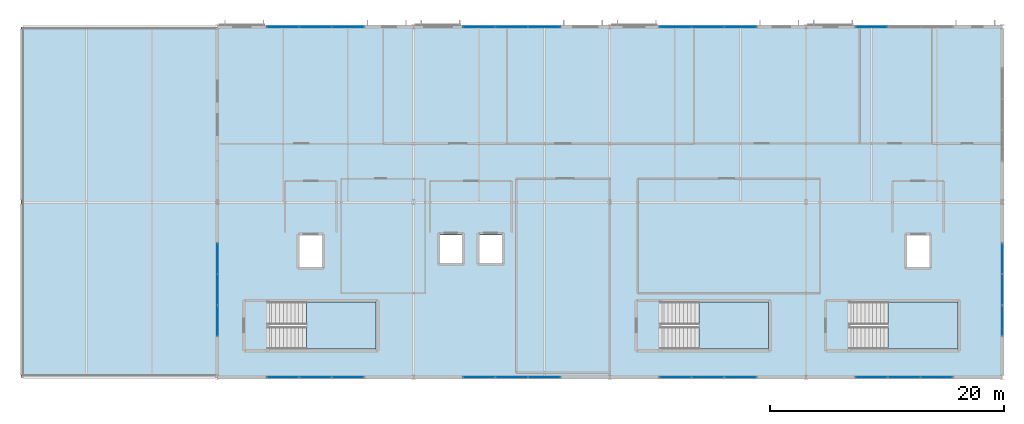
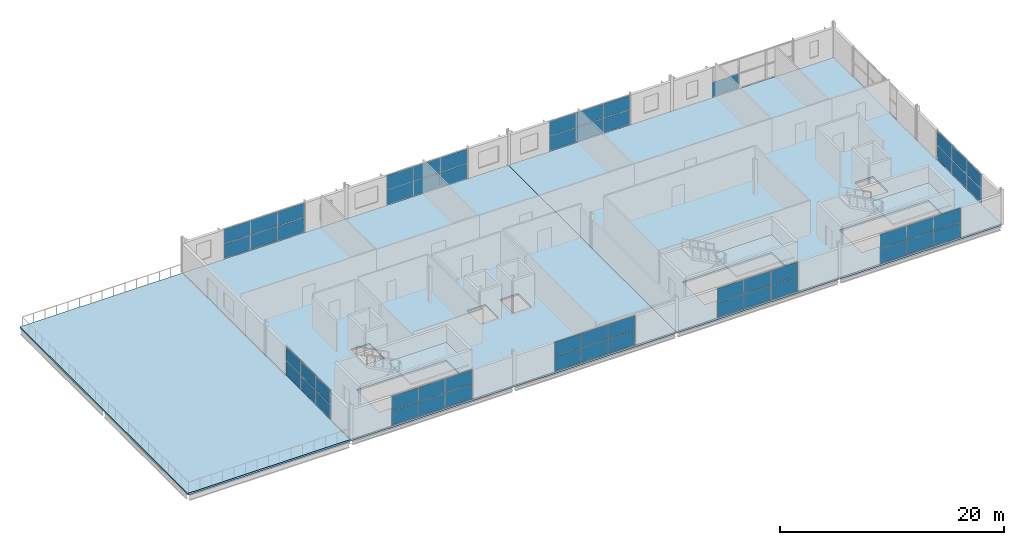
# One storey, part 12 of 18: 55 plates, 6 slabs, 13 elements without a shape of their own.
"""IFC4 building model written with IfcOpenShell, lengths in metres."""

from ifc_helpers import new_model, si_unit, direction, frame, origin, origin_2d, place, context, subcontext, project, spatial, polyline, rectangle, outline, extrude, material, layer, layer_set, type_object, element, aggregate, save


model = new_model("IFC4")

# Units and contexts
model_context = context("Model", 3, precision=1e-05, world=origin(), true_north=direction((0.0, 1.0)))
body_context = subcontext(model_context, "Body", "Model", "MODEL_VIEW")
ifc_project = project(units=[si_unit("LENGTHUNIT", "METRE"), si_unit("AREAUNIT", "SQUARE_METRE"), si_unit("VOLUMEUNIT", "CUBIC_METRE"), si_unit("PLANEANGLEUNIT", "RADIAN"), si_unit("MASSUNIT", "GRAM", prefix="KILO")], contexts=[model_context])

# Site, building, storey
site_placement = place(None, origin())
site = spatial("IfcSite", under=ifc_project, at=site_placement, CompositionType="ELEMENT")
building_placement = place(site_placement, origin())
building = spatial("IfcBuilding", under=site, at=building_placement, Name="Kimbaza Rail Terminus", CompositionType="ELEMENT")
storey_placement = place(building_placement, frame((0.0, 0.0, 24.89990234375)))
storey = spatial("IfcBuildingStorey", under=building, at=storey_placement, Name="L05", CompositionType="ELEMENT", Elevation=24.89990234375)

# Curtain wall, plates
ifc_material_1 = material(Name="Anodised aluminium framing and solar low-E glazing", Category="aluminium")
curtain_wall_type = type_object("IfcCurtainWallType", Name="ARC-CW-OP2", PredefinedType="USERDEFINED", material=ifc_material_1)
curtain_wall_1_placement = place(storey_placement, origin())
curtain_wall_1 = element("IfcCurtainWall", 1, at=curtain_wall_1_placement, inside=storey, type_object=curtain_wall_type, Name="Operations North Curtain Wall L05 Bay 1", ObjectType="STICK CURTAIN WALL", PredefinedType="USERDEFINED")
ifc_material_2 = material(Name="Solar-control double low-E glazing", Category="glass")
ifc_layer_1 = layer(ifc_material_2, 0.02294921875)
ifc_layer_set_1 = layer_set([ifc_layer_1], Name="Solar-control double low-E glazing")
plate_type = type_object("IfcPlateType", Name="ARC-CWP-06", PredefinedType="CURTAIN_PANEL", material=ifc_layer_set_1)
plate_1_placement = place(storey_placement, frame((77.614501953125, 133.0, 0.05810546875), z_axis=(0.0, 0.0, 1.0), x_axis=(1.0, 0.0, 0.0)))
plate_1 = element("IfcPlate", 2, at=plate_1_placement, type_object=plate_type, Name="CW-06 panel 1.1", PredefinedType="CURTAIN_PANEL", context=body_context, shape_type="SweptSolid", body=[
    extrude(rectangle(XDim=2.712890625, YDim=0.02294921875, at=origin_2d()), origin(), (0.0, 0.0, 1.0), 1.56298828125),
])
plate_2_placement = place(storey_placement, frame((77.614501953125, 133.0, 1.67919921875), z_axis=(0.0, 0.0, 1.0), x_axis=(1.0, 0.0, 0.0)))
plate_2 = element("IfcPlate", 3, at=plate_2_placement, type_object=plate_type, Name="CW-06 panel 1.2", PredefinedType="CURTAIN_PANEL", context=body_context, shape_type="SweptSolid", body=[
    extrude(rectangle(XDim=2.712890625, YDim=0.02294921875, at=origin_2d()), origin(), (0.0, 0.0, 1.0), 1.56298828125),
])
plate_3_placement = place(storey_placement, frame((80.39990234375, 133.0, 0.05810546875), z_axis=(0.0, 0.0, 1.0), x_axis=(1.0, 0.0, 0.0)))
plate_3 = element("IfcPlate", 4, at=plate_3_placement, type_object=plate_type, Name="CW-06 panel 2.1", PredefinedType="CURTAIN_PANEL", context=body_context, shape_type="SweptSolid", body=[
    extrude(rectangle(XDim=2.741943359375, YDim=0.02294921875, at=origin_2d()), origin(), (0.0, 0.0, 1.0), 1.56298828125),
])
plate_4_placement = place(storey_placement, frame((80.39990234375, 133.0, 1.67919921875), z_axis=(0.0, 0.0, 1.0), x_axis=(1.0, 0.0, 0.0)))
plate_4 = element("IfcPlate", 5, at=plate_4_placement, type_object=plate_type, Name="CW-06 panel 2.2", PredefinedType="CURTAIN_PANEL", context=body_context, shape_type="SweptSolid", body=[
    extrude(rectangle(XDim=2.741943359375, YDim=0.02294921875, at=origin_2d()), origin(), (0.0, 0.0, 1.0), 1.56298828125),
])
plate_5_placement = place(storey_placement, frame((83.185546875, 133.0, 0.05810546875), z_axis=(0.0, 0.0, 1.0), x_axis=(1.0, 0.0, 0.0)))
plate_5 = element("IfcPlate", 6, at=plate_5_placement, type_object=plate_type, Name="CW-06 panel 3.1", PredefinedType="CURTAIN_PANEL", context=body_context, shape_type="SweptSolid", body=[
    extrude(rectangle(XDim=2.712890625, YDim=0.02294921875, at=origin_2d()), origin(), (0.0, 0.0, 1.0), 1.56298828125),
])
plate_6_placement = place(storey_placement, frame((83.185546875, 133.0, 1.67919921875), z_axis=(0.0, 0.0, 1.0), x_axis=(1.0, 0.0, 0.0)))
plate_6 = element("IfcPlate", 7, at=plate_6_placement, type_object=plate_type, Name="CW-06 panel 3.2", PredefinedType="CURTAIN_PANEL", context=body_context, shape_type="SweptSolid", body=[
    extrude(rectangle(XDim=2.712890625, YDim=0.02294921875, at=origin_2d()), origin(), (0.0, 0.0, 1.0), 1.56298828125),
])
aggregate(curtain_wall_1, [plate_1, plate_2, plate_3, plate_4, plate_5, plate_6])

curtain_wall_2_placement = place(storey_placement, origin())
curtain_wall_2 = element("IfcCurtainWall", 8, at=curtain_wall_2_placement, inside=storey, type_object=curtain_wall_type, Name="Operations North Curtain Wall L05 Bay 2", ObjectType="STICK CURTAIN WALL", PredefinedType="USERDEFINED")
plate_7_placement = place(storey_placement, frame((94.41455078125, 133.0, 0.05810546875), z_axis=(0.0, 0.0, 1.0), x_axis=(1.0, 0.0, 0.0)))
plate_7 = element("IfcPlate", 9, at=plate_7_placement, type_object=plate_type, Name="CW-06 panel 1.1", PredefinedType="CURTAIN_PANEL", context=body_context, shape_type="SweptSolid", body=[
    extrude(rectangle(XDim=2.712890625, YDim=0.02294921875, at=origin_2d()), origin(), (0.0, 0.0, 1.0), 1.56298828125),
])
plate_8_placement = place(storey_placement, frame((94.41455078125, 133.0, 1.67919921875), z_axis=(0.0, 0.0, 1.0), x_axis=(1.0, 0.0, 0.0)))
plate_8 = element("IfcPlate", 10, at=plate_8_placement, type_object=plate_type, Name="CW-06 panel 1.2", PredefinedType="CURTAIN_PANEL", context=body_context, shape_type="SweptSolid", body=[
    extrude(rectangle(XDim=2.712890625, YDim=0.02294921875, at=origin_2d()), origin(), (0.0, 0.0, 1.0), 1.56298828125),
])
plate_9_placement = place(storey_placement, frame((97.199951171875, 133.0, 0.05810546875), z_axis=(0.0, 0.0, 1.0), x_axis=(1.0, 0.0, 0.0)))
plate_9 = element("IfcPlate", 11, at=plate_9_placement, type_object=plate_type, Name="CW-06 panel 2.1", PredefinedType="CURTAIN_PANEL", context=body_context, shape_type="SweptSolid", body=[
    extrude(rectangle(XDim=2.741943359375, YDim=0.02294921875, at=origin_2d()), origin(), (0.0, 0.0, 1.0), 1.56298828125),
])
plate_10_placement = place(storey_placement, frame((97.199951171875, 133.0, 1.67919921875), z_axis=(0.0, 0.0, 1.0), x_axis=(1.0, 0.0, 0.0)))
plate_10 = element("IfcPlate", 12, at=plate_10_placement, type_object=plate_type, Name="CW-06 panel 2.2", PredefinedType="CURTAIN_PANEL", context=body_context, shape_type="SweptSolid", body=[
    extrude(rectangle(XDim=2.741943359375, YDim=0.02294921875, at=origin_2d()), origin(), (0.0, 0.0, 1.0), 1.56298828125),
])
plate_11_placement = place(storey_placement, frame((99.985595703125, 133.0, 0.05810546875), z_axis=(0.0, 0.0, 1.0), x_axis=(1.0, 0.0, 0.0)))
plate_11 = element("IfcPlate", 13, at=plate_11_placement, type_object=plate_type, Name="CW-06 panel 3.1", PredefinedType="CURTAIN_PANEL", context=body_context, shape_type="SweptSolid", body=[
    extrude(rectangle(XDim=2.712890625, YDim=0.02294921875, at=origin_2d()), origin(), (0.0, 0.0, 1.0), 1.56298828125),
])
plate_12_placement = place(storey_placement, frame((99.985595703125, 133.0, 1.67919921875), z_axis=(0.0, 0.0, 1.0), x_axis=(1.0, 0.0, 0.0)))
plate_12 = element("IfcPlate", 14, at=plate_12_placement, type_object=plate_type, Name="CW-06 panel 3.2", PredefinedType="CURTAIN_PANEL", context=body_context, shape_type="SweptSolid", body=[
    extrude(rectangle(XDim=2.712890625, YDim=0.02294921875, at=origin_2d()), origin(), (0.0, 0.0, 1.0), 1.56298828125),
])
aggregate(curtain_wall_2, [plate_7, plate_8, plate_9, plate_10, plate_11, plate_12])

curtain_wall_3_placement = place(storey_placement, origin())
curtain_wall_3 = element("IfcCurtainWall", 15, at=curtain_wall_3_placement, inside=storey, type_object=curtain_wall_type, Name="Operations North Curtain Wall L05 Bay 3", ObjectType="STICK CURTAIN WALL", PredefinedType="USERDEFINED")
plate_13_placement = place(storey_placement, frame((111.214599609375, 133.0, 0.05810546875), z_axis=(0.0, 0.0, 1.0), x_axis=(1.0, 0.0, 0.0)))
plate_13 = element("IfcPlate", 16, at=plate_13_placement, type_object=plate_type, Name="CW-06 panel 1.1", PredefinedType="CURTAIN_PANEL", context=body_context, shape_type="SweptSolid", body=[
    extrude(rectangle(XDim=2.712890625, YDim=0.02294921875, at=origin_2d()), origin(), (0.0, 0.0, 1.0), 1.56298828125),
])
plate_14_placement = place(storey_placement, frame((111.214599609375, 133.0, 1.67919921875), z_axis=(0.0, 0.0, 1.0), x_axis=(1.0, 0.0, 0.0)))
plate_14 = element("IfcPlate", 17, at=plate_14_placement, type_object=plate_type, Name="CW-06 panel 1.2", PredefinedType="CURTAIN_PANEL", context=body_context, shape_type="SweptSolid", body=[
    extrude(rectangle(XDim=2.712890625, YDim=0.02294921875, at=origin_2d()), origin(), (0.0, 0.0, 1.0), 1.56298828125),
])
plate_15_placement = place(storey_placement, frame((114.0, 133.0, 0.05810546875), z_axis=(0.0, 0.0, 1.0), x_axis=(1.0, 0.0, 0.0)))
plate_15 = element("IfcPlate", 18, at=plate_15_placement, type_object=plate_type, Name="CW-06 panel 2.1", PredefinedType="CURTAIN_PANEL", context=body_context, shape_type="SweptSolid", body=[
    extrude(rectangle(XDim=2.741943359375, YDim=0.02294921875, at=origin_2d()), origin(), (0.0, 0.0, 1.0), 1.56298828125),
])
plate_16_placement = place(storey_placement, frame((114.0, 133.0, 1.67919921875), z_axis=(0.0, 0.0, 1.0), x_axis=(1.0, 0.0, 0.0)))
plate_16 = element("IfcPlate", 19, at=plate_16_placement, type_object=plate_type, Name="CW-06 panel 2.2", PredefinedType="CURTAIN_PANEL", context=body_context, shape_type="SweptSolid", body=[
    extrude(rectangle(XDim=2.741943359375, YDim=0.02294921875, at=origin_2d()), origin(), (0.0, 0.0, 1.0), 1.56298828125),
])
plate_17_placement = place(storey_placement, frame((116.785400390625, 133.0, 0.05810546875), z_axis=(0.0, 0.0, 1.0), x_axis=(1.0, 0.0, 0.0)))
plate_17 = element("IfcPlate", 20, at=plate_17_placement, type_object=plate_type, Name="CW-06 panel 3.1", PredefinedType="CURTAIN_PANEL", context=body_context, shape_type="SweptSolid", body=[
    extrude(rectangle(XDim=2.712890625, YDim=0.02294921875, at=origin_2d()), origin(), (0.0, 0.0, 1.0), 1.56298828125),
])
plate_18_placement = place(storey_placement, frame((116.785400390625, 133.0, 1.67919921875), z_axis=(0.0, 0.0, 1.0), x_axis=(1.0, 0.0, 0.0)))
plate_18 = element("IfcPlate", 21, at=plate_18_placement, type_object=plate_type, Name="CW-06 panel 3.2", PredefinedType="CURTAIN_PANEL", context=body_context, shape_type="SweptSolid", body=[
    extrude(rectangle(XDim=2.712890625, YDim=0.02294921875, at=origin_2d()), origin(), (0.0, 0.0, 1.0), 1.56298828125),
])
aggregate(curtain_wall_3, [plate_13, plate_14, plate_15, plate_16, plate_17, plate_18])

# Curtain wall, plate
curtain_wall_4_placement = place(storey_placement, origin())
curtain_wall_4 = element("IfcCurtainWall", 22, at=curtain_wall_4_placement, inside=storey, type_object=curtain_wall_type, Name="Operations North Curtain Wall L05 Bay 4", ObjectType="STICK CURTAIN WALL", PredefinedType="USERDEFINED")
plate_19_placement = place(storey_placement, frame((128.014404296875, 133.0, 0.05810546875), z_axis=(0.0, 0.0, 1.0), x_axis=(1.0, 0.0, 0.0)))
plate_19 = element("IfcPlate", 23, at=plate_19_placement, type_object=plate_type, Name="CW-06 panel 1.1", PredefinedType="CURTAIN_PANEL", context=body_context, shape_type="SweptSolid", body=[
    extrude(rectangle(XDim=2.712890625, YDim=0.02294921875, at=origin_2d()), origin(), (0.0, 0.0, 1.0), 1.56298828125),
])
aggregate(curtain_wall_4, [plate_19])

# Curtain wall, plates
curtain_wall_5_placement = place(storey_placement, origin())
curtain_wall_5 = element("IfcCurtainWall", 24, at=curtain_wall_5_placement, inside=storey, type_object=curtain_wall_type, Name="Operations South Curtain Wall L05 Bay 1", ObjectType="STICK CURTAIN WALL", PredefinedType="USERDEFINED")
plate_20_placement = place(storey_placement, frame((77.614501953125, 103.0, 0.05810546875), z_axis=(0.0, 0.0, 1.0), x_axis=(1.0, 0.0, 0.0)))
plate_20 = element("IfcPlate", 25, at=plate_20_placement, type_object=plate_type, Name="CW-06 panel 1.1", PredefinedType="CURTAIN_PANEL", context=body_context, shape_type="SweptSolid", body=[
    extrude(rectangle(XDim=2.712890625, YDim=0.02294921875, at=origin_2d()), origin(), (0.0, 0.0, 1.0), 1.56298828125),
])
plate_21_placement = place(storey_placement, frame((77.614501953125, 103.0, 1.67919921875), z_axis=(0.0, 0.0, 1.0), x_axis=(1.0, 0.0, 0.0)))
plate_21 = element("IfcPlate", 26, at=plate_21_placement, type_object=plate_type, Name="CW-06 panel 1.2", PredefinedType="CURTAIN_PANEL", context=body_context, shape_type="SweptSolid", body=[
    extrude(rectangle(XDim=2.712890625, YDim=0.02294921875, at=origin_2d()), origin(), (0.0, 0.0, 1.0), 1.56298828125),
])
plate_22_placement = place(storey_placement, frame((80.39990234375, 103.0, 0.05810546875), z_axis=(0.0, 0.0, 1.0), x_axis=(1.0, 0.0, 0.0)))
plate_22 = element("IfcPlate", 27, at=plate_22_placement, type_object=plate_type, Name="CW-06 panel 2.1", PredefinedType="CURTAIN_PANEL", context=body_context, shape_type="SweptSolid", body=[
    extrude(rectangle(XDim=2.741943359375, YDim=0.02294921875, at=origin_2d()), origin(), (0.0, 0.0, 1.0), 1.56298828125),
])
plate_23_placement = place(storey_placement, frame((80.39990234375, 103.0, 1.67919921875), z_axis=(0.0, 0.0, 1.0), x_axis=(1.0, 0.0, 0.0)))
plate_23 = element("IfcPlate", 28, at=plate_23_placement, type_object=plate_type, Name="CW-06 panel 2.2", PredefinedType="CURTAIN_PANEL", context=body_context, shape_type="SweptSolid", body=[
    extrude(rectangle(XDim=2.741943359375, YDim=0.02294921875, at=origin_2d()), origin(), (0.0, 0.0, 1.0), 1.56298828125),
])
plate_24_placement = place(storey_placement, frame((83.185546875, 103.0, 0.05810546875), z_axis=(0.0, 0.0, 1.0), x_axis=(1.0, 0.0, 0.0)))
plate_24 = element("IfcPlate", 29, at=plate_24_placement, type_object=plate_type, Name="CW-06 panel 3.1", PredefinedType="CURTAIN_PANEL", context=body_context, shape_type="SweptSolid", body=[
    extrude(rectangle(XDim=2.712890625, YDim=0.02294921875, at=origin_2d()), origin(), (0.0, 0.0, 1.0), 1.56298828125),
])
plate_25_placement = place(storey_placement, frame((83.185546875, 103.0, 1.67919921875), z_axis=(0.0, 0.0, 1.0), x_axis=(1.0, 0.0, 0.0)))
plate_25 = element("IfcPlate", 30, at=plate_25_placement, type_object=plate_type, Name="CW-06 panel 3.2", PredefinedType="CURTAIN_PANEL", context=body_context, shape_type="SweptSolid", body=[
    extrude(rectangle(XDim=2.712890625, YDim=0.02294921875, at=origin_2d()), origin(), (0.0, 0.0, 1.0), 1.56298828125),
])
aggregate(curtain_wall_5, [plate_20, plate_21, plate_22, plate_23, plate_24, plate_25])

curtain_wall_6_placement = place(storey_placement, origin())
curtain_wall_6 = element("IfcCurtainWall", 31, at=curtain_wall_6_placement, inside=storey, type_object=curtain_wall_type, Name="Operations South Curtain Wall L05 Bay 2", ObjectType="STICK CURTAIN WALL", PredefinedType="USERDEFINED")
plate_26_placement = place(storey_placement, frame((94.41455078125, 103.0, 0.05810546875), z_axis=(0.0, 0.0, 1.0), x_axis=(1.0, 0.0, 0.0)))
plate_26 = element("IfcPlate", 32, at=plate_26_placement, type_object=plate_type, Name="CW-06 panel 1.1", PredefinedType="CURTAIN_PANEL", context=body_context, shape_type="SweptSolid", body=[
    extrude(rectangle(XDim=2.712890625, YDim=0.02294921875, at=origin_2d()), origin(), (0.0, 0.0, 1.0), 1.56298828125),
])
plate_27_placement = place(storey_placement, frame((94.41455078125, 103.0, 1.67919921875), z_axis=(0.0, 0.0, 1.0), x_axis=(1.0, 0.0, 0.0)))
plate_27 = element("IfcPlate", 33, at=plate_27_placement, type_object=plate_type, Name="CW-06 panel 1.2", PredefinedType="CURTAIN_PANEL", context=body_context, shape_type="SweptSolid", body=[
    extrude(rectangle(XDim=2.712890625, YDim=0.02294921875, at=origin_2d()), origin(), (0.0, 0.0, 1.0), 1.56298828125),
])
plate_28_placement = place(storey_placement, frame((97.199951171875, 103.0, 0.05810546875), z_axis=(0.0, 0.0, 1.0), x_axis=(1.0, 0.0, 0.0)))
plate_28 = element("IfcPlate", 34, at=plate_28_placement, type_object=plate_type, Name="CW-06 panel 2.1", PredefinedType="CURTAIN_PANEL", context=body_context, shape_type="SweptSolid", body=[
    extrude(rectangle(XDim=2.741943359375, YDim=0.02294921875, at=origin_2d()), origin(), (0.0, 0.0, 1.0), 1.56298828125),
])
plate_29_placement = place(storey_placement, frame((97.199951171875, 103.0, 1.67919921875), z_axis=(0.0, 0.0, 1.0), x_axis=(1.0, 0.0, 0.0)))
plate_29 = element("IfcPlate", 35, at=plate_29_placement, type_object=plate_type, Name="CW-06 panel 2.2", PredefinedType="CURTAIN_PANEL", context=body_context, shape_type="SweptSolid", body=[
    extrude(rectangle(XDim=2.741943359375, YDim=0.02294921875, at=origin_2d()), origin(), (0.0, 0.0, 1.0), 1.56298828125),
])
plate_30_placement = place(storey_placement, frame((99.985595703125, 103.0, 0.05810546875), z_axis=(0.0, 0.0, 1.0), x_axis=(1.0, 0.0, 0.0)))
plate_30 = element("IfcPlate", 36, at=plate_30_placement, type_object=plate_type, Name="CW-06 panel 3.1", PredefinedType="CURTAIN_PANEL", context=body_context, shape_type="SweptSolid", body=[
    extrude(rectangle(XDim=2.712890625, YDim=0.02294921875, at=origin_2d()), origin(), (0.0, 0.0, 1.0), 1.56298828125),
])
plate_31_placement = place(storey_placement, frame((99.985595703125, 103.0, 1.67919921875), z_axis=(0.0, 0.0, 1.0), x_axis=(1.0, 0.0, 0.0)))
plate_31 = element("IfcPlate", 37, at=plate_31_placement, type_object=plate_type, Name="CW-06 panel 3.2", PredefinedType="CURTAIN_PANEL", context=body_context, shape_type="SweptSolid", body=[
    extrude(rectangle(XDim=2.712890625, YDim=0.02294921875, at=origin_2d()), origin(), (0.0, 0.0, 1.0), 1.56298828125),
])
aggregate(curtain_wall_6, [plate_26, plate_27, plate_28, plate_29, plate_30, plate_31])

curtain_wall_7_placement = place(storey_placement, origin())
curtain_wall_7 = element("IfcCurtainWall", 38, at=curtain_wall_7_placement, inside=storey, type_object=curtain_wall_type, Name="Operations South Curtain Wall L05 Bay 3", ObjectType="STICK CURTAIN WALL", PredefinedType="USERDEFINED")
plate_32_placement = place(storey_placement, frame((111.214599609375, 103.0, 0.05810546875), z_axis=(0.0, 0.0, 1.0), x_axis=(1.0, 0.0, 0.0)))
plate_32 = element("IfcPlate", 39, at=plate_32_placement, type_object=plate_type, Name="CW-06 panel 1.1", PredefinedType="CURTAIN_PANEL", context=body_context, shape_type="SweptSolid", body=[
    extrude(rectangle(XDim=2.712890625, YDim=0.02294921875, at=origin_2d()), origin(), (0.0, 0.0, 1.0), 1.56298828125),
])
plate_33_placement = place(storey_placement, frame((111.214599609375, 103.0, 1.67919921875), z_axis=(0.0, 0.0, 1.0), x_axis=(1.0, 0.0, 0.0)))
plate_33 = element("IfcPlate", 40, at=plate_33_placement, type_object=plate_type, Name="CW-06 panel 1.2", PredefinedType="CURTAIN_PANEL", context=body_context, shape_type="SweptSolid", body=[
    extrude(rectangle(XDim=2.712890625, YDim=0.02294921875, at=origin_2d()), origin(), (0.0, 0.0, 1.0), 1.56298828125),
])
plate_34_placement = place(storey_placement, frame((114.0, 103.0, 0.05810546875), z_axis=(0.0, 0.0, 1.0), x_axis=(1.0, 0.0, 0.0)))
plate_34 = element("IfcPlate", 41, at=plate_34_placement, type_object=plate_type, Name="CW-06 panel 2.1", PredefinedType="CURTAIN_PANEL", context=body_context, shape_type="SweptSolid", body=[
    extrude(rectangle(XDim=2.741943359375, YDim=0.02294921875, at=origin_2d()), origin(), (0.0, 0.0, 1.0), 1.56298828125),
])
plate_35_placement = place(storey_placement, frame((114.0, 103.0, 1.67919921875), z_axis=(0.0, 0.0, 1.0), x_axis=(1.0, 0.0, 0.0)))
plate_35 = element("IfcPlate", 42, at=plate_35_placement, type_object=plate_type, Name="CW-06 panel 2.2", PredefinedType="CURTAIN_PANEL", context=body_context, shape_type="SweptSolid", body=[
    extrude(rectangle(XDim=2.741943359375, YDim=0.02294921875, at=origin_2d()), origin(), (0.0, 0.0, 1.0), 1.56298828125),
])
plate_36_placement = place(storey_placement, frame((116.785400390625, 103.0, 0.05810546875), z_axis=(0.0, 0.0, 1.0), x_axis=(1.0, 0.0, 0.0)))
plate_36 = element("IfcPlate", 43, at=plate_36_placement, type_object=plate_type, Name="CW-06 panel 3.1", PredefinedType="CURTAIN_PANEL", context=body_context, shape_type="SweptSolid", body=[
    extrude(rectangle(XDim=2.712890625, YDim=0.02294921875, at=origin_2d()), origin(), (0.0, 0.0, 1.0), 1.56298828125),
])
plate_37_placement = place(storey_placement, frame((116.785400390625, 103.0, 1.67919921875), z_axis=(0.0, 0.0, 1.0), x_axis=(1.0, 0.0, 0.0)))
plate_37 = element("IfcPlate", 44, at=plate_37_placement, type_object=plate_type, Name="CW-06 panel 3.2", PredefinedType="CURTAIN_PANEL", context=body_context, shape_type="SweptSolid", body=[
    extrude(rectangle(XDim=2.712890625, YDim=0.02294921875, at=origin_2d()), origin(), (0.0, 0.0, 1.0), 1.56298828125),
])
aggregate(curtain_wall_7, [plate_32, plate_33, plate_34, plate_35, plate_36, plate_37])

curtain_wall_8_placement = place(storey_placement, origin())
curtain_wall_8 = element("IfcCurtainWall", 45, at=curtain_wall_8_placement, inside=storey, type_object=curtain_wall_type, Name="Operations South Curtain Wall L05 Bay 4", ObjectType="STICK CURTAIN WALL", PredefinedType="USERDEFINED")
plate_38_placement = place(storey_placement, frame((128.014404296875, 103.0, 0.05810546875), z_axis=(0.0, 0.0, 1.0), x_axis=(1.0, 0.0, 0.0)))
plate_38 = element("IfcPlate", 46, at=plate_38_placement, type_object=plate_type, Name="CW-06 panel 1.1", PredefinedType="CURTAIN_PANEL", context=body_context, shape_type="SweptSolid", body=[
    extrude(rectangle(XDim=2.712890625, YDim=0.02294921875, at=origin_2d()), origin(), (0.0, 0.0, 1.0), 1.56298828125),
])
plate_39_placement = place(storey_placement, frame((128.014404296875, 103.0, 1.67919921875), z_axis=(0.0, 0.0, 1.0), x_axis=(1.0, 0.0, 0.0)))
plate_39 = element("IfcPlate", 47, at=plate_39_placement, type_object=plate_type, Name="CW-06 panel 1.2", PredefinedType="CURTAIN_PANEL", context=body_context, shape_type="SweptSolid", body=[
    extrude(rectangle(XDim=2.712890625, YDim=0.02294921875, at=origin_2d()), origin(), (0.0, 0.0, 1.0), 1.56298828125),
])
plate_40_placement = place(storey_placement, frame((130.800048828125, 103.0, 0.05810546875), z_axis=(0.0, 0.0, 1.0), x_axis=(1.0, 0.0, 0.0)))
plate_40 = element("IfcPlate", 48, at=plate_40_placement, type_object=plate_type, Name="CW-06 panel 2.1", PredefinedType="CURTAIN_PANEL", context=body_context, shape_type="SweptSolid", body=[
    extrude(rectangle(XDim=2.741943359375, YDim=0.02294921875, at=origin_2d()), origin(), (0.0, 0.0, 1.0), 1.56298828125),
])
plate_41_placement = place(storey_placement, frame((130.800048828125, 103.0, 1.67919921875), z_axis=(0.0, 0.0, 1.0), x_axis=(1.0, 0.0, 0.0)))
plate_41 = element("IfcPlate", 49, at=plate_41_placement, type_object=plate_type, Name="CW-06 panel 2.2", PredefinedType="CURTAIN_PANEL", context=body_context, shape_type="SweptSolid", body=[
    extrude(rectangle(XDim=2.741943359375, YDim=0.02294921875, at=origin_2d()), origin(), (0.0, 0.0, 1.0), 1.56298828125),
])
plate_42_placement = place(storey_placement, frame((133.58544921875, 103.0, 0.05810546875), z_axis=(0.0, 0.0, 1.0), x_axis=(1.0, 0.0, 0.0)))
plate_42 = element("IfcPlate", 50, at=plate_42_placement, type_object=plate_type, Name="CW-06 panel 3.1", PredefinedType="CURTAIN_PANEL", context=body_context, shape_type="SweptSolid", body=[
    extrude(rectangle(XDim=2.712890625, YDim=0.02294921875, at=origin_2d()), origin(), (0.0, 0.0, 1.0), 1.56298828125),
])
plate_43_placement = place(storey_placement, frame((133.58544921875, 103.0, 1.67919921875), z_axis=(0.0, 0.0, 1.0), x_axis=(1.0, 0.0, 0.0)))
plate_43 = element("IfcPlate", 51, at=plate_43_placement, type_object=plate_type, Name="CW-06 panel 3.2", PredefinedType="CURTAIN_PANEL", context=body_context, shape_type="SweptSolid", body=[
    extrude(rectangle(XDim=2.712890625, YDim=0.02294921875, at=origin_2d()), origin(), (0.0, 0.0, 1.0), 1.56298828125),
])
aggregate(curtain_wall_8, [plate_38, plate_39, plate_40, plate_41, plate_42, plate_43])

curtain_wall_9_placement = place(storey_placement, origin())
curtain_wall_9 = element("IfcCurtainWall", 52, at=curtain_wall_9_placement, inside=storey, type_object=curtain_wall_type, Name="Operations W Curtain Wall L05.1", ObjectType="STICK CURTAIN WALL", PredefinedType="USERDEFINED")
plate_44_placement = place(storey_placement, frame((72.0, 107.847900390625, 0.05810546875), z_axis=(0.0, 0.0, 1.0), x_axis=(0.0, 1.0, 0.0)))
plate_44 = element("IfcPlate", 53, at=plate_44_placement, type_object=plate_type, Name="CW-06 panel 1.1", PredefinedType="CURTAIN_PANEL", context=body_context, shape_type="SweptSolid", body=[
    extrude(rectangle(XDim=2.57958984375, YDim=0.02294921875, at=origin_2d()), origin(), (0.0, 0.0, 1.0), 1.56298828125),
])
plate_45_placement = place(storey_placement, frame((72.0, 107.847900390625, 1.67919921875), z_axis=(0.0, 0.0, 1.0), x_axis=(0.0, 1.0, 0.0)))
plate_45 = element("IfcPlate", 54, at=plate_45_placement, type_object=plate_type, Name="CW-06 panel 1.2", PredefinedType="CURTAIN_PANEL", context=body_context, shape_type="SweptSolid", body=[
    extrude(rectangle(XDim=2.57958984375, YDim=0.02294921875, at=origin_2d()), origin(), (0.0, 0.0, 1.0), 1.56298828125),
])
plate_46_placement = place(storey_placement, frame((72.0, 110.5, 0.05810546875), z_axis=(0.0, 0.0, 1.0), x_axis=(0.0, 1.0, 0.0)))
plate_46 = element("IfcPlate", 55, at=plate_46_placement, type_object=plate_type, Name="CW-06 panel 2.1", PredefinedType="CURTAIN_PANEL", context=body_context, shape_type="SweptSolid", body=[
    extrude(rectangle(XDim=2.608642578125, YDim=0.02294921875, at=origin_2d()), origin(), (0.0, 0.0, 1.0), 1.56298828125),
])
plate_47_placement = place(storey_placement, frame((72.0, 110.5, 1.67919921875), z_axis=(0.0, 0.0, 1.0), x_axis=(0.0, 1.0, 0.0)))
plate_47 = element("IfcPlate", 56, at=plate_47_placement, type_object=plate_type, Name="CW-06 panel 2.2", PredefinedType="CURTAIN_PANEL", context=body_context, shape_type="SweptSolid", body=[
    extrude(rectangle(XDim=2.608642578125, YDim=0.02294921875, at=origin_2d()), origin(), (0.0, 0.0, 1.0), 1.56298828125),
])
plate_48_placement = place(storey_placement, frame((72.0, 113.152099609375, 0.05810546875), z_axis=(0.0, 0.0, 1.0), x_axis=(0.0, 1.0, 0.0)))
plate_48 = element("IfcPlate", 57, at=plate_48_placement, type_object=plate_type, Name="CW-06 panel 3.1", PredefinedType="CURTAIN_PANEL", context=body_context, shape_type="SweptSolid", body=[
    extrude(rectangle(XDim=2.57958984375, YDim=0.02294921875, at=origin_2d()), origin(), (0.0, 0.0, 1.0), 1.56298828125),
])
plate_49_placement = place(storey_placement, frame((72.0, 113.152099609375, 1.67919921875), z_axis=(0.0, 0.0, 1.0), x_axis=(0.0, 1.0, 0.0)))
plate_49 = element("IfcPlate", 58, at=plate_49_placement, type_object=plate_type, Name="CW-06 panel 3.2", PredefinedType="CURTAIN_PANEL", context=body_context, shape_type="SweptSolid", body=[
    extrude(rectangle(XDim=2.57958984375, YDim=0.02294921875, at=origin_2d()), origin(), (0.0, 0.0, 1.0), 1.56298828125),
])
aggregate(curtain_wall_9, [plate_44, plate_45, plate_46, plate_47, plate_48, plate_49])

curtain_wall_10_placement = place(storey_placement, origin())
curtain_wall_10 = element("IfcCurtainWall", 59, at=curtain_wall_10_placement, inside=storey, type_object=curtain_wall_type, Name="Operations E Curtain Wall L05.1", ObjectType="STICK CURTAIN WALL", PredefinedType="USERDEFINED")
plate_50_placement = place(storey_placement, frame((139.199951171875, 107.847900390625, 0.05810546875), z_axis=(0.0, 0.0, 1.0), x_axis=(0.0, 1.0, 0.0)))
plate_50 = element("IfcPlate", 60, at=plate_50_placement, type_object=plate_type, Name="CW-06 panel 1.1", PredefinedType="CURTAIN_PANEL", context=body_context, shape_type="SweptSolid", body=[
    extrude(rectangle(XDim=2.57958984375, YDim=0.02294921875, at=origin_2d()), origin(), (0.0, 0.0, 1.0), 1.56298828125),
])
plate_51_placement = place(storey_placement, frame((139.199951171875, 107.847900390625, 1.67919921875), z_axis=(0.0, 0.0, 1.0), x_axis=(0.0, 1.0, 0.0)))
plate_51 = element("IfcPlate", 61, at=plate_51_placement, type_object=plate_type, Name="CW-06 panel 1.2", PredefinedType="CURTAIN_PANEL", context=body_context, shape_type="SweptSolid", body=[
    extrude(rectangle(XDim=2.57958984375, YDim=0.02294921875, at=origin_2d()), origin(), (0.0, 0.0, 1.0), 1.56298828125),
])
plate_52_placement = place(storey_placement, frame((139.199951171875, 110.5, 0.05810546875), z_axis=(0.0, 0.0, 1.0), x_axis=(0.0, 1.0, 0.0)))
plate_52 = element("IfcPlate", 62, at=plate_52_placement, type_object=plate_type, Name="CW-06 panel 2.1", PredefinedType="CURTAIN_PANEL", context=body_context, shape_type="SweptSolid", body=[
    extrude(rectangle(XDim=2.608642578125, YDim=0.02294921875, at=origin_2d()), origin(), (0.0, 0.0, 1.0), 1.56298828125),
])
plate_53_placement = place(storey_placement, frame((139.199951171875, 110.5, 1.67919921875), z_axis=(0.0, 0.0, 1.0), x_axis=(0.0, 1.0, 0.0)))
plate_53 = element("IfcPlate", 63, at=plate_53_placement, type_object=plate_type, Name="CW-06 panel 2.2", PredefinedType="CURTAIN_PANEL", context=body_context, shape_type="SweptSolid", body=[
    extrude(rectangle(XDim=2.608642578125, YDim=0.02294921875, at=origin_2d()), origin(), (0.0, 0.0, 1.0), 1.56298828125),
])
plate_54_placement = place(storey_placement, frame((139.199951171875, 113.152099609375, 0.05810546875), z_axis=(0.0, 0.0, 1.0), x_axis=(0.0, 1.0, 0.0)))
plate_54 = element("IfcPlate", 64, at=plate_54_placement, type_object=plate_type, Name="CW-06 panel 3.1", PredefinedType="CURTAIN_PANEL", context=body_context, shape_type="SweptSolid", body=[
    extrude(rectangle(XDim=2.57958984375, YDim=0.02294921875, at=origin_2d()), origin(), (0.0, 0.0, 1.0), 1.56298828125),
])
plate_55_placement = place(storey_placement, frame((139.199951171875, 113.152099609375, 1.67919921875), z_axis=(0.0, 0.0, 1.0), x_axis=(0.0, 1.0, 0.0)))
plate_55 = element("IfcPlate", 65, at=plate_55_placement, type_object=plate_type, Name="CW-06 panel 3.2", PredefinedType="CURTAIN_PANEL", context=body_context, shape_type="SweptSolid", body=[
    extrude(rectangle(XDim=2.57958984375, YDim=0.02294921875, at=origin_2d()), origin(), (0.0, 0.0, 1.0), 1.56298828125),
])
aggregate(curtain_wall_10, [plate_50, plate_51, plate_52, plate_53, plate_54, plate_55])

# Stair, slab
ifc_material_3 = material(Name="Concrete C40/50", Category="concrete")
stair_type = type_object("IfcStairType", Name="ARC-STR-04", PredefinedType="HALF_TURN_STAIR", material=ifc_material_3)
stair_1_placement = place(storey_placement, origin())
stair_1 = element("IfcStair", 66, at=stair_1_placement, inside=storey, type_object=stair_type, Name="L05 Operations West Exit Stair", PredefinedType="HALF_TURN_STAIR")
ifc_material_4 = material(Name="Concrete C40/50", Category="concrete")
ifc_layer_2 = layer(ifc_material_4, 0.199951171875)
ifc_layer_set_2 = layer_set([ifc_layer_2], Name="Concrete C40/50")
slab_type_1 = type_object("IfcSlabType", Name="STR-SL-LND200", PredefinedType="LANDING", material=ifc_layer_set_2)
slab_1_placement = place(storey_placement, frame((0.0, 0.0, 1.75)))
slab_1 = element("IfcSlab", 67, at=slab_1_placement, type_object=slab_type_1, Name="ST-W1 landing 1", PredefinedType="LANDING", context=body_context, shape_type="SweptSolid", body=[
    extrude(outline(polyline([(79.6201171875, 105.39990234375), (85.60009765625, 105.39990234375), (85.60009765625, 109.43994140625), (79.6201171875, 109.43994140625), (79.6201171875, 105.39990234375)])), origin(), (0.0, 0.0, 1.0), 0.2001953125),
])
aggregate(stair_1, [slab_1])

stair_2_placement = place(storey_placement, origin())
stair_2 = element("IfcStair", 68, at=stair_2_placement, inside=storey, type_object=stair_type, Name="L05 Operations Central Exit Stair", PredefinedType="HALF_TURN_STAIR")
slab_2_placement = place(storey_placement, frame((0.0, 0.0, 1.75)))
slab_2 = element("IfcSlab", 69, at=slab_2_placement, type_object=slab_type_1, Name="ST-M1 landing 1", PredefinedType="LANDING", context=body_context, shape_type="SweptSolid", body=[
    extrude(outline(polyline([(113.219970703125, 105.39990234375), (119.199951171875, 105.39990234375), (119.199951171875, 109.43994140625), (113.219970703125, 109.43994140625), (113.219970703125, 105.39990234375)])), origin(), (0.0, 0.0, 1.0), 0.2001953125),
])
aggregate(stair_2, [slab_2])

stair_3_placement = place(storey_placement, origin())
stair_3 = element("IfcStair", 70, at=stair_3_placement, inside=storey, type_object=stair_type, Name="L05 Operations East Exit Stair", PredefinedType="HALF_TURN_STAIR")
slab_3_placement = place(storey_placement, frame((0.0, 0.0, 1.75)))
slab_3 = element("IfcSlab", 71, at=slab_3_placement, type_object=slab_type_1, Name="ST-E1 landing 1", PredefinedType="LANDING", context=body_context, shape_type="SweptSolid", body=[
    extrude(outline(polyline([(129.419921875, 105.39990234375), (135.39990234375, 105.39990234375), (135.39990234375, 109.43994140625), (129.419921875, 109.43994140625), (129.419921875, 105.39990234375)])), origin(), (0.0, 0.0, 1.0), 0.2001953125),
])
aggregate(stair_3, [slab_3])

# Slabs
ifc_material_5 = material(Name="Concrete C40/50", Category="concrete")
ifc_layer_3 = layer(ifc_material_5, 0.18994140625)
ifc_layer_set_3 = layer_set([ifc_layer_3], Name="Concrete C40/50")
slab_type_2 = type_object("IfcSlabType", Name="STR-SL-TER190", PredefinedType="FLOOR", material=ifc_layer_set_3)
slab_4_placement = place(storey_placement, frame((0.0, 0.0, -0.18994140625)))
element("IfcSlab", 72, at=slab_4_placement, inside=storey, type_object=slab_type_2, Name="L05 West Staff Terrace Slab", PredefinedType="FLOOR", context=body_context, shape_type="SweptSolid", body=[
    extrude(outline(polyline([(55.199951171875, 103.0), (72.0, 103.0), (72.0, 133.0), (55.199951171875, 133.0), (55.199951171875, 103.0)])), origin(), (0.0, 0.0, 1.0), 0.18994140625),
])
ifc_material_6 = material(Name="Concrete C40/50", Category="concrete")
ifc_layer_4 = layer(ifc_material_6, 0.18994140625)
ifc_layer_set_4 = layer_set([ifc_layer_4], Name="Concrete C40/50")
slab_type_3 = type_object("IfcSlabType", Name="STR-SL-UPP190", PredefinedType="FLOOR", material=ifc_layer_set_4)
slab_5_placement = place(storey_placement, frame((0.0, 0.0, -0.18994140625)))
element("IfcSlab", 73, at=slab_5_placement, inside=storey, type_object=slab_type_3, Name="Operations Wing L05 Slab Zone 1", PredefinedType="FLOOR", context=body_context, shape_type="SweptSolid", body=[
    extrude(outline(polyline([(72.0, 103.0), (105.60009765625, 103.0), (105.60009765625, 133.0), (72.0, 133.0), (72.0, 103.0)]), holes=[polyline([(76.344970703125, 105.39990234375), (85.60009765625, 105.39990234375), (85.60009765625, 109.43994140625), (76.344970703125, 109.43994140625), (76.344970703125, 105.39990234375)]), polyline([(91.050048828125, 112.800048828125), (92.949951171875, 112.800048828125), (92.949951171875, 115.199951171875), (91.050048828125, 115.199951171875), (91.050048828125, 112.800048828125)]), polyline([(94.449951171875, 112.800048828125), (96.35009765625, 112.800048828125), (96.35009765625, 115.199951171875), (94.449951171875, 115.199951171875), (94.449951171875, 112.800048828125)]), polyline([(79.050048828125, 112.449951171875), (80.949951171875, 112.449951171875), (80.949951171875, 115.14990234375), (79.050048828125, 115.14990234375), (79.050048828125, 112.449951171875)])]), origin(), (0.0, 0.0, 1.0), 0.18994140625),
])
slab_6_placement = place(storey_placement, frame((0.0, 0.0, -0.18994140625)))
element("IfcSlab", 74, at=slab_6_placement, inside=storey, type_object=slab_type_3, Name="Operations Wing L05 Slab Zone 2", PredefinedType="FLOOR", context=body_context, shape_type="SweptSolid", body=[
    extrude(outline(polyline([(105.60009765625, 103.0), (139.199951171875, 103.0), (139.199951171875, 133.0), (105.60009765625, 133.0), (105.60009765625, 103.0)]), holes=[polyline([(109.945068359375, 105.39990234375), (119.199951171875, 105.39990234375), (119.199951171875, 109.43994140625), (109.945068359375, 109.43994140625), (109.945068359375, 105.39990234375)]), polyline([(126.14501953125, 105.39990234375), (135.39990234375, 105.39990234375), (135.39990234375, 109.43994140625), (126.14501953125, 109.43994140625), (126.14501953125, 105.39990234375)]), polyline([(131.050048828125, 112.449951171875), (132.949951171875, 112.449951171875), (132.949951171875, 115.14990234375), (131.050048828125, 115.14990234375), (131.050048828125, 112.449951171875)])]), origin(), (0.0, 0.0, 1.0), 0.18994140625),
])

save(model, "model.ifc")
